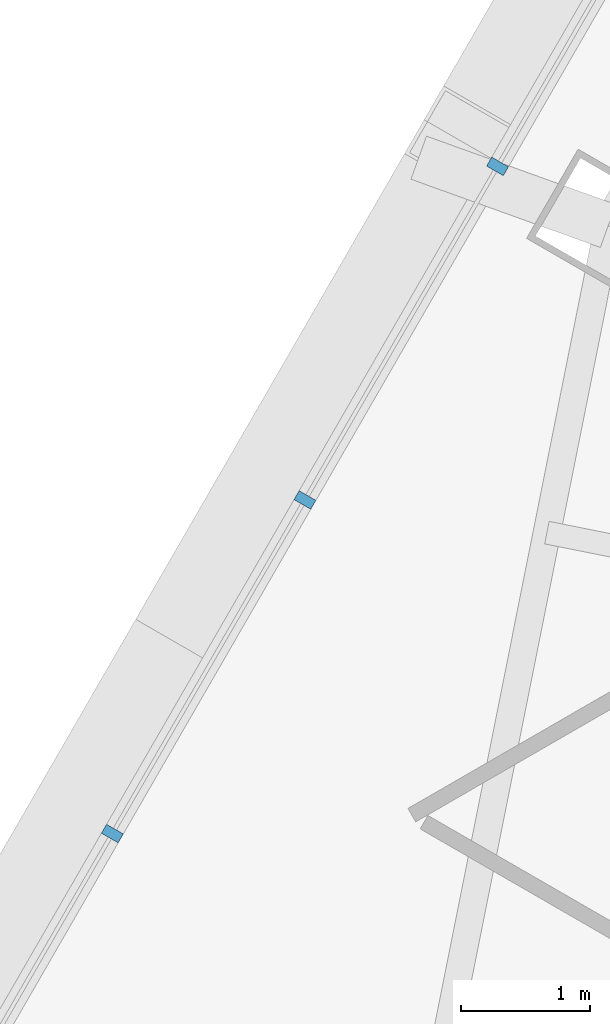
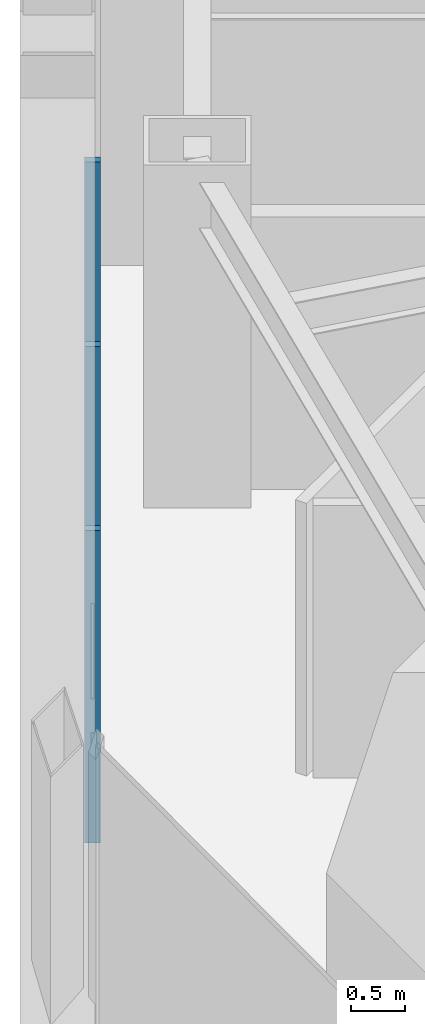
# One storey, part 6 of 24: 3 members, 2 openings, 1 element without a shape of its own.
"""IFC4 building model written with IfcOpenShell, lengths in metres."""

from ifc_helpers import new_model, si_unit, direction, frame, frame_2d, origin, origin_2d, place, context, subcontext, project, spatial, rectangle, extrude, material, layer, layer_set, material_profile, profile_set, type_object, element, aggregate, save


model = new_model("IFC4")

# Units and contexts
model_context = context("Model", 3, precision=1e-05, world=origin(), true_north=direction((0.0, 1.0)))
body_context = subcontext(model_context, "Body", "Model", "MODEL_VIEW")
ifc_project = project(units=[si_unit("LENGTHUNIT", "METRE"), si_unit("AREAUNIT", "SQUARE_METRE"), si_unit("VOLUMEUNIT", "CUBIC_METRE"), si_unit("PLANEANGLEUNIT", "RADIAN"), si_unit("MASSUNIT", "GRAM", prefix="KILO")], contexts=[model_context])

# Site, building, storey
site_placement = place(None, origin())
site = spatial("IfcSite", under=ifc_project, at=site_placement, CompositionType="ELEMENT")
building_placement = place(site_placement, origin())
building = spatial("IfcBuilding", under=site, at=building_placement, Name="Firuza Gate Tower and Library", CompositionType="ELEMENT")
storey_placement = place(building_placement, frame((0.0, 0.0, 171.39990234375)))
storey = spatial("IfcBuildingStorey", under=building, at=storey_placement, Name="L39", CompositionType="ELEMENT", Elevation=171.39990234375)

# Curtain wall, openings, members
ifc_material_1 = material(Name="Aluminium 6063-T6", Category="aluminium")
ifc_layer = layer(ifc_material_1, 0.14990234375)
ifc_layer_set = layer_set([ifc_layer], Name="Unitised curtain wall, hotel")
curtain_wall_type = type_object("IfcCurtainWallType", Name="Unitised curtain wall, hotel", PredefinedType="NOTDEFINED", material=ifc_layer_set)
curtain_wall_placement = place(storey_placement, origin())
curtain_wall = element("IfcCurtainWall", 1, at=curtain_wall_placement, inside=storey, type_object=curtain_wall_type, Name="CW2 L39 W face", PredefinedType="NOTDEFINED")
opening_1_placement = place(curtain_wall_placement, frame((69.840576171875, 105.572509765625, 0.150146484375), z_axis=(0.0, 0.0, 1.0), x_axis=(-0.5, -0.866025, 0.0)))
element("IfcOpeningElement", 2, at=opening_1_placement, cuts=curtain_wall, Name="Opening WD1-005", PredefinedType="OPENING", context=body_context, shape_type="SweptSolid", body=[
    extrude(rectangle(XDim=2.912109375, YDim=3.550048828125, at=frame_2d((1.4560546875, 1.77490234375))), frame((0.0, 0.0849609375, 0.0), z_axis=(0.0, -1.0, 0.0), x_axis=(1.0, 0.0, 0.0)), (0.0, 0.0, 1.0), 0.169921875),
])
opening_2_placement = place(curtain_wall_placement, frame((51.887939453125, 74.4775390625, 0.150146484375), z_axis=(0.0, 0.0, 1.0), x_axis=(-0.5, -0.866025, 0.0)))
element("IfcOpeningElement", 3, at=opening_2_placement, cuts=curtain_wall, Name="Opening WD1-006", PredefinedType="OPENING", context=body_context, shape_type="SweptSolid", body=[
    extrude(rectangle(XDim=2.912109375, YDim=3.550048828125, at=frame_2d((1.4560546875, 1.77490234375))), frame((0.0, 0.0849609375, 0.0), z_axis=(0.0, -1.0, 0.0), x_axis=(1.0, 0.0, 0.0)), (0.0, 0.0, 1.0), 0.169921875),
])
ifc_material_2 = material(Name="Aluminium 6063-T6", Category="aluminium")
ifc_material_profile = material_profile(ifc_material_2, rectangle(XDim=0.14990234375, YDim=0.080078125, at=origin_2d()))
ifc_profile_set = profile_set([ifc_material_profile], Name="Aluminium 6063-T6")
member_type = type_object("IfcMemberType", Name="Curtain wall mullion 80x150", PredefinedType="MULLION", material=ifc_profile_set)
member_1_placement = place(storey_placement, frame((48.915771484375, 69.32958984375, 0.150146484375), z_axis=(0.0, 0.0, 1.0), x_axis=(0.866025403784, -0.5, 0.0)))
member_1 = element("IfcMember", 4, at=member_1_placement, type_object=member_type, Name="Mullion", PredefinedType="MULLION", context=body_context, shape_type="SweptSolid", body=[
    extrude(rectangle(XDim=0.14990234375, YDim=0.080078125, at=origin_2d()), origin(), (0.0, 0.0, 1.0), 3.550048828125),
])
member_2_placement = place(storey_placement, frame((47.419677734375, 66.738525390625, 0.150146484375), z_axis=(0.0, 0.0, 1.0), x_axis=(0.866025403784, -0.5, 0.0)))
member_2 = element("IfcMember", 5, at=member_2_placement, type_object=member_type, Name="Mullion", PredefinedType="MULLION", context=body_context, shape_type="SweptSolid", body=[
    extrude(rectangle(XDim=0.14990234375, YDim=0.080078125, at=origin_2d()), origin(), (0.0, 0.0, 1.0), 3.550048828125),
])
member_3_placement = place(storey_placement, frame((45.923583984375, 64.147216796875, 0.150146484375), z_axis=(0.0, 0.0, 1.0), x_axis=(0.866025403784, -0.5, 0.0)))
member_3 = element("IfcMember", 6, at=member_3_placement, type_object=member_type, Name="Mullion", PredefinedType="MULLION", context=body_context, shape_type="SweptSolid", body=[
    extrude(rectangle(XDim=0.14990234375, YDim=0.080078125, at=origin_2d()), origin(), (0.0, 0.0, 1.0), 3.550048828125),
])
aggregate(curtain_wall, [member_1, member_2, member_3])

save(model, "model.ifc")
